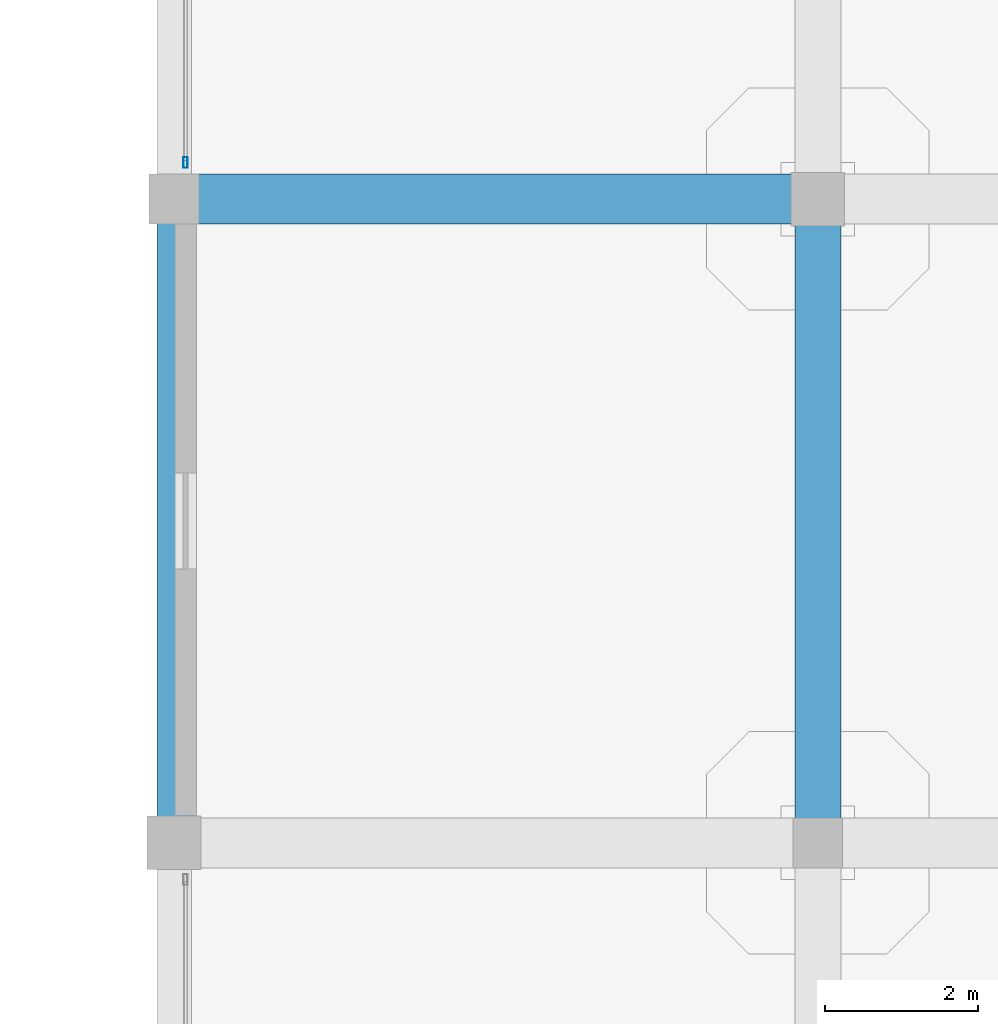
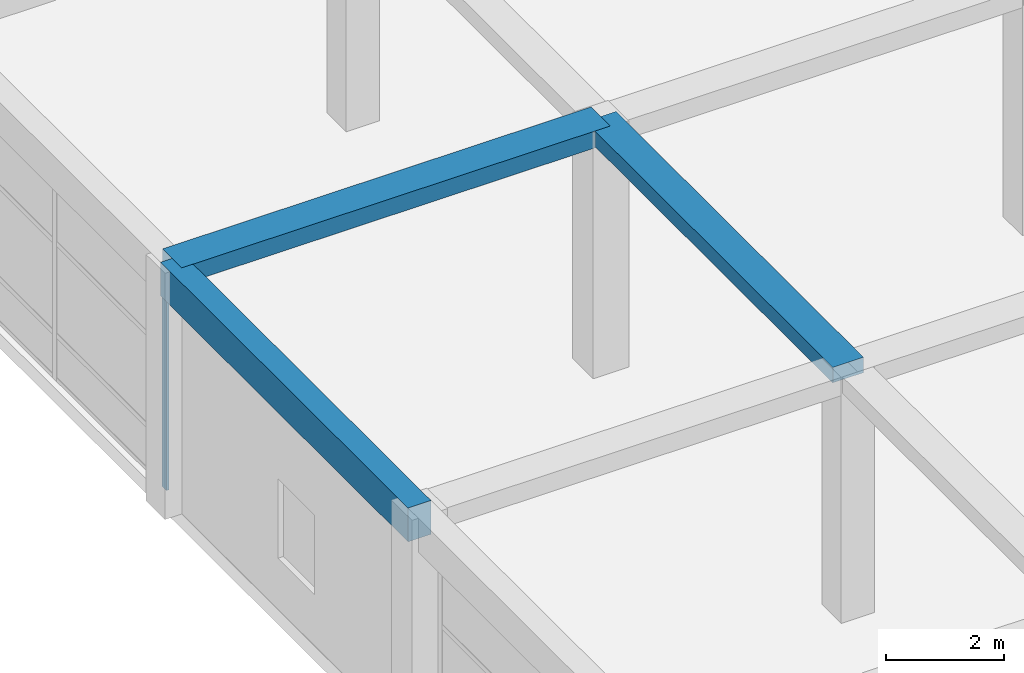
# One storey, part 6 of 65: 3 beams, 1 member, 1 element without a shape of its own.
"""IFC4 building model written with IfcOpenShell, lengths in metres."""

from ifc_helpers import new_model, si_unit, direction, frame, origin, origin_2d, place, context, subcontext, project, spatial, rectangle, hollow_rectangle, extrude, material, material_profile, profile_set, type_object, element, aggregate, save


model = new_model("IFC4")

# Units and contexts
model_context = context("Model", 3, precision=1e-05, world=origin(), true_north=direction((0.0, 1.0)))
body_context = subcontext(model_context, "Body", "Model", "MODEL_VIEW")
ifc_project = project(units=[si_unit("LENGTHUNIT", "METRE"), si_unit("AREAUNIT", "SQUARE_METRE"), si_unit("VOLUMEUNIT", "CUBIC_METRE"), si_unit("PLANEANGLEUNIT", "RADIAN"), si_unit("MASSUNIT", "GRAM", prefix="KILO")], contexts=[model_context])

# Site, building, storey
site_placement = place(None, origin())
site = spatial("IfcSite", under=ifc_project, at=site_placement, CompositionType="ELEMENT")
building_placement = place(site_placement, origin())
building = spatial("IfcBuilding", under=site, at=building_placement, Name="Almacenes y Pasaje Nevantli", CompositionType="ELEMENT")
storey_placement = place(building_placement, frame((0.0, 0.0, 16.800048828125)))
storey = spatial("IfcBuildingStorey", under=building, at=storey_placement, Name="L04", CompositionType="ELEMENT", Elevation=16.800048828125)

# Beams
ifc_material_1 = material(Name="Concrete C35/45", Category="concrete")
ifc_material_profile_1 = material_profile(ifc_material_1, rectangle(XDim=0.449951171875, YDim=0.699951171875, at=origin_2d()), Name="RC-BM-450x700")
ifc_profile_set_1 = profile_set([ifc_material_profile_1], Name="Concrete C35/45")
beam_type_1 = type_object("IfcBeamType", Name="BM-RC-450x700", PredefinedType="SPANDREL", material=ifc_profile_set_1)
beam_1_placement = place(storey_placement, frame((0.0, 33.60009765625, 4.75), z_axis=(0.0, 1.0, 0.0), x_axis=(-1.0, 0.0, 0.0)))
element("IfcBeam", 1, at=beam_1_placement, inside=storey, type_object=beam_type_1, Name="L04 North-South Reinforced Concrete Beam #2994", PredefinedType="SPANDREL", context=body_context, shape_type="SweptSolid", body=[
    extrude(rectangle(XDim=0.449951171875, YDim=0.699951171875, at=origin_2d()), origin(), (0.0, 0.0, 1.0), 8.39990234375),
])
ifc_material_2 = material(Name="Concrete C35/45", Category="concrete")
ifc_material_profile_2 = material_profile(ifc_material_2, rectangle(XDim=0.60009765625, YDim=0.320068359375, at=origin_2d()), Name="RC-BM-600x320")
ifc_profile_set_2 = profile_set([ifc_material_profile_2], Name="Concrete C35/45")
beam_type_2 = type_object("IfcBeamType", Name="BM-RC-600x320", PredefinedType="BEAM", material=ifc_profile_set_2)
beam_2_placement = place(storey_placement, frame((8.39990234375, 33.60009765625, 4.93994140625), z_axis=(0.0, 1.0, 0.0), x_axis=(-1.0, 0.0, 0.0)))
element("IfcBeam", 2, at=beam_2_placement, inside=storey, type_object=beam_type_2, Name="L04 North-South Reinforced Concrete Beam #3005", PredefinedType="BEAM", context=body_context, shape_type="SweptSolid", body=[
    extrude(rectangle(XDim=0.60009765625, YDim=0.320068359375, at=origin_2d()), origin(), (0.0, 0.0, 1.0), 8.39990234375),
])
ifc_material_3 = material(Name="Concrete C35/45", Category="concrete")
ifc_material_profile_3 = material_profile(ifc_material_3, rectangle(XDim=0.64990234375, YDim=0.35009765625, at=origin_2d()), Name="RC-BM-650x350")
ifc_profile_set_3 = profile_set([ifc_material_profile_3], Name="Concrete C35/45")
beam_type_3 = type_object("IfcBeamType", Name="BM-RC-650x350", PredefinedType="BEAM", material=ifc_profile_set_3)
beam_3_placement = place(storey_placement, frame((0.0, 42.0, 4.925048828125), z_axis=(1.0, 0.0, 0.0), x_axis=(0.0, 1.0, 0.0)))
element("IfcBeam", 3, at=beam_3_placement, inside=storey, type_object=beam_type_3, Name="L04 East-West Reinforced Concrete Beam #2829", PredefinedType="BEAM", context=body_context, shape_type="SweptSolid", body=[
    extrude(rectangle(XDim=0.64990234375, YDim=0.35009765625, at=origin_2d()), origin(), (0.0, 0.0, 1.0), 8.39990234375),
])

# Curtain wall, member
ifc_material_4 = material(Name="Thermally Broken Aluminium and Low-E Glass", Category="aluminium")
curtain_wall_type = type_object("IfcCurtainWallType", Name="CW-UNIT-PODIUM", PredefinedType="USERDEFINED", material=ifc_material_4)
curtain_wall_placement = place(storey_placement, origin())
curtain_wall = element("IfcCurtainWall", 4, at=curtain_wall_placement, inside=storey, type_object=curtain_wall_type, Name="L04 West Avenue Unitized Curtain Wall Bay 6", ObjectType="UNITIZED CURTAIN WALL", PredefinedType="USERDEFINED")
ifc_material_5 = material(Name="Thermally Broken Anodized Aluminium", Category="aluminium")
ifc_material_profile_4 = material_profile(ifc_material_5, hollow_rectangle(XDim=0.054931640625, YDim=0.139892578125, WallThickness=0.00341796875, at=origin_2d()), Name="ALU-MUL-55x140")
ifc_profile_set_4 = profile_set([ifc_material_profile_4], Name="Thermally Broken Anodized Aluminium")
member_type = type_object("IfcMemberType", Name="CW-MUL-160", PredefinedType="MULLION", material=ifc_profile_set_4)
member_placement = place(storey_placement, frame((0.14990234375, 42.4775390625, 0.0), z_axis=(0.0, 0.0, 1.0), x_axis=(-1.0, 0.0, 0.0)))
member = element("IfcMember", 5, at=member_placement, type_object=member_type, Name="CW-L04-074 mullion 1", PredefinedType="MULLION", context=body_context, shape_type="SweptSolid", body=[
    extrude(hollow_rectangle(XDim=0.054931640625, YDim=0.139892578125, WallThickness=0.00341796875, at=origin_2d()), origin(), (0.0, 0.0, 1.0), 4.3798828125),
])
aggregate(curtain_wall, [member])

save(model, "model.ifc")
